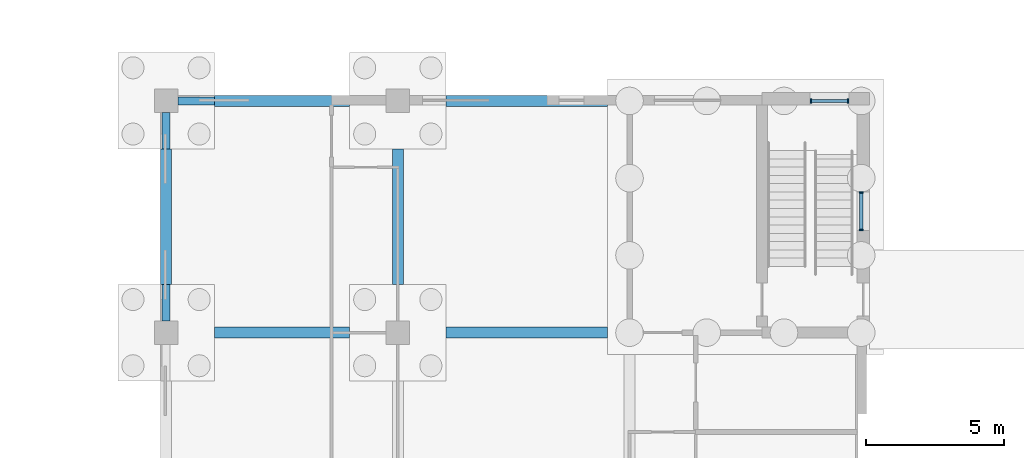
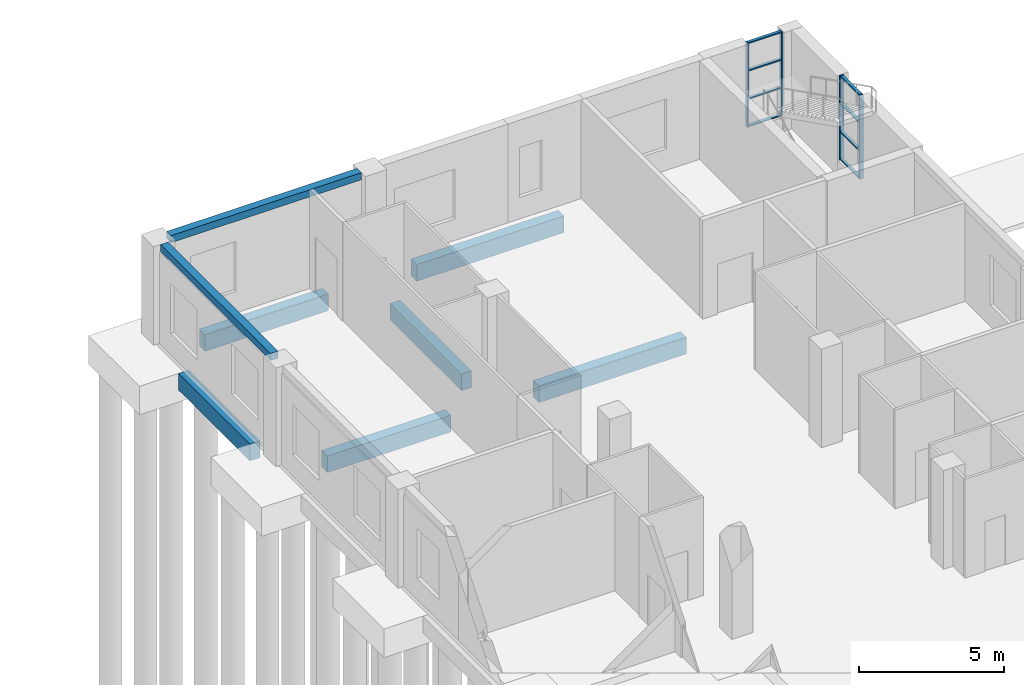
# One storey, part 75 of 138: 12 members, 8 beams, 2 elements without a shape of their own.
"""IFC4 building model written with IfcOpenShell, lengths in metres."""

from ifc_helpers import new_model, si_unit, direction, frame, origin, origin_2d, place, context, subcontext, project, spatial, rectangle, extrude, material, material_profile, profile_set, type_object, element, aggregate, save


model = new_model("IFC4")

# Units and contexts
model_context = context("Model", 3, precision=1e-05, world=origin(), true_north=direction((0.0, 1.0)))
body_context = subcontext(model_context, "Body", "Model", "MODEL_VIEW")
ifc_project = project(units=[si_unit("LENGTHUNIT", "METRE"), si_unit("AREAUNIT", "SQUARE_METRE"), si_unit("VOLUMEUNIT", "CUBIC_METRE"), si_unit("PLANEANGLEUNIT", "RADIAN"), si_unit("MASSUNIT", "GRAM", prefix="KILO")], contexts=[model_context])

# Site, building, storey
site_placement = place(None, origin())
site = spatial("IfcSite", under=ifc_project, at=site_placement, CompositionType="ELEMENT")
building_placement = place(site_placement, origin())
building = spatial("IfcBuilding", under=site, at=building_placement, Name="Yavir Park General Hospital", CompositionType="ELEMENT")
storey_placement = place(building_placement, origin())
storey = spatial("IfcBuildingStorey", under=building, at=storey_placement, Name="L00", CompositionType="ELEMENT", Elevation=0.0)

# Beams
ifc_material_1 = material(Name="Concrete C35/45", Category="concrete")
ifc_material_profile_1 = material_profile(ifc_material_1, rectangle(XDim=0.300048828125, YDim=0.300048828125, at=origin_2d()), Name="RC300x300")
ifc_profile_set_1 = profile_set([ifc_material_profile_1], Name="Concrete C35/45")
beam_type_1 = type_object("IfcBeamType", Name="RC BEAM 300x300 edge beam", PredefinedType="BEAM", material=ifc_profile_set_1)
beam_1_placement = place(storey_placement, frame((143.22509765625, 117.60009765625, 3.989990234375), z_axis=(1.0, 0.0, 0.0), x_axis=(0.0, 1.0, 0.0)))
element("IfcBeam", 1, at=beam_1_placement, inside=storey, type_object=beam_type_1, Name="B:EDGE:L00:025", PredefinedType="BEAM", context=body_context, shape_type="SweptSolid", body=[
    extrude(rectangle(XDim=0.300048828125, YDim=0.300048828125, at=origin_2d()), origin(), (0.0, 0.0, 1.0), 7.5498046875),
])
beam_2_placement = place(storey_placement, frame((142.800048828125, 109.625, 3.989990234375), z_axis=(0.0, 1.0, 0.0), x_axis=(-1.0, 0.0, 0.0)))
element("IfcBeam", 2, at=beam_2_placement, inside=storey, type_object=beam_type_1, Name="B:EDGE:L00:052", PredefinedType="BEAM", context=body_context, shape_type="SweptSolid", body=[
    extrude(rectangle(XDim=0.300048828125, YDim=0.300048828125, at=origin_2d()), origin(), (0.0, 0.0, 1.0), 7.550048828125),
])
ifc_material_2 = material(Name="Concrete C35/45", Category="concrete")
ifc_material_profile_2 = material_profile(ifc_material_2, rectangle(XDim=0.39990234375, YDim=0.699951171875, at=origin_2d()), Name="RC400x700")
ifc_profile_set_2 = profile_set([ifc_material_profile_2], Name="Concrete C35/45")
beam_type_2 = type_object("IfcBeamType", Name="RC BEAM 400x700 ground beam", PredefinedType="BEAM", material=ifc_profile_set_2)
for number, where, z_axis, x_axis, name in (
    (3, (144.550048828125, 109.199951171875, -0.800048828125), (1.0, 0.0, 0.0), (0.0, 1.0, 0.0), "B:GND:L00:18P:L00:19P"),
    (4, (144.550048828125, 117.60009765625, -0.800048828125), (1.0, 0.0, 0.0), (0.0, 1.0, 0.0), "B:GND:L00:18Q:L00:19Q"),
):
    element("IfcBeam", number, at=place(storey_placement, frame(where, z_axis=z_axis, x_axis=x_axis)), inside=storey, type_object=beam_type_2, Name=name, PredefinedType="BEAM", context=body_context, shape_type="SweptSolid", body=[
        extrude(rectangle(XDim=0.39990234375, YDim=0.699951171875, at=origin_2d()), origin(), (0.0, 0.0, 1.0), 4.89990234375),
    ])
for number, where, z_axis, x_axis, name in (
    (5, (152.949951171875, 109.199951171875, -0.800048828125), (1.0, 0.0, 0.0), (0.0, 1.0, 0.0), "B:GND:L00:19P:L00:ES3"),
    (6, (152.949951171875, 117.60009765625, -0.800048828125), (1.0, 0.0, 0.0), (0.0, 1.0, 0.0), "B:GND:L00:19Q:L00:ES3"),
):
    element("IfcBeam", number, at=place(storey_placement, frame(where, z_axis=z_axis, x_axis=x_axis)), inside=storey, type_object=beam_type_2, Name=name, PredefinedType="BEAM", context=body_context, shape_type="SweptSolid", body=[
        extrude(rectangle(XDim=0.39990234375, YDim=0.699951171875, at=origin_2d()), origin(), (0.0, 0.0, 1.0), 5.85009765625),
    ])
for number, where, z_axis, x_axis, name in (
    (7, (142.800048828125, 110.949951171875, -0.800048828125), (0.0, 1.0, 0.0), (-1.0, 0.0, 0.0), "B:GND:L00:18P:L00:18Q"),
    (8, (151.199951171875, 110.949951171875, -0.800048828125), (0.0, 1.0, 0.0), (-1.0, 0.0, 0.0), "B:GND:L00:19P:L00:19Q"),
):
    element("IfcBeam", number, at=place(storey_placement, frame(where, z_axis=z_axis, x_axis=x_axis)), inside=storey, type_object=beam_type_2, Name=name, PredefinedType="BEAM", context=body_context, shape_type="SweptSolid", body=[
        extrude(rectangle(XDim=0.39990234375, YDim=0.699951171875, at=origin_2d()), origin(), (0.0, 0.0, 1.0), 4.900146484375),
    ])

# Curtain wall, members
ifc_material_3 = material(Name="Aluminium curtain wall frame with insulated glazing", Category="aluminium")
curtain_wall_type = type_object("IfcCurtainWallType", Name="Stair light slot, ground floor, 3540 high, 1400 module", PredefinedType="NOTDEFINED", material=ifc_material_3)
curtain_wall_1_placement = place(storey_placement, origin())
curtain_wall_1 = element("IfcCurtainWall", 9, at=curtain_wall_1_placement, inside=storey, type_object=curtain_wall_type, Name="CW19 L00-037", PredefinedType="NOTDEFINED")
ifc_material_4 = material(Name="Aluminium", Category="aluminium")
ifc_material_profile_3 = material_profile(ifc_material_4, rectangle(XDim=0.159912109375, YDim=0.050048828125, at=origin_2d()), Name="AL 50x160")
ifc_profile_set_3 = profile_set([ifc_material_profile_3], Name="Aluminium")
member_type_1 = type_object("IfcMemberType", Name="Stair light slot, ground floor, 3540 high mullion 50 x 160", PredefinedType="MULLION", material=ifc_profile_set_3)
member_1_placement = place(storey_placement, frame((166.175048828125, 117.60009765625, 0.60009765625), z_axis=(0.0, 0.0, 1.0), x_axis=(0.0, 1.0, 0.0)))
member_1 = element("IfcMember", 10, at=member_1_placement, type_object=member_type_1, Name="CW19 mullion 1", PredefinedType="MULLION", context=body_context, shape_type="SweptSolid", body=[
    extrude(rectangle(XDim=0.159912109375, YDim=0.050048828125, at=origin_2d()), origin(), (0.0, 0.0, 1.0), 3.539794921875),
])
member_2_placement = place(storey_placement, frame((167.52490234375, 117.60009765625, 0.60009765625), z_axis=(0.0, 0.0, 1.0), x_axis=(0.0, 1.0, 0.0)))
member_2 = element("IfcMember", 11, at=member_2_placement, type_object=member_type_1, Name="CW19 mullion 2", PredefinedType="MULLION", context=body_context, shape_type="SweptSolid", body=[
    extrude(rectangle(XDim=0.159912109375, YDim=0.050048828125, at=origin_2d()), origin(), (0.0, 0.0, 1.0), 3.539794921875),
])

curtain_wall_2_placement = place(storey_placement, origin())
curtain_wall_2 = element("IfcCurtainWall", 12, at=curtain_wall_2_placement, inside=storey, type_object=curtain_wall_type, Name="CW19 L00-077", PredefinedType="NOTDEFINED")
member_3_placement = place(storey_placement, frame((168.0, 112.925048828125, 0.60009765625), z_axis=(0.0, 0.0, 1.0), x_axis=(-1.0, 0.0, 0.0)))
member_3 = element("IfcMember", 13, at=member_3_placement, type_object=member_type_1, Name="CW19 mullion 1", PredefinedType="MULLION", context=body_context, shape_type="SweptSolid", body=[
    extrude(rectangle(XDim=0.159912109375, YDim=0.050048828125, at=origin_2d()), origin(), (0.0, 0.0, 1.0), 3.539794921875),
])
member_4_placement = place(storey_placement, frame((168.0, 114.27490234375, 0.60009765625), z_axis=(0.0, 0.0, 1.0), x_axis=(-1.0, 0.0, 0.0)))
member_4 = element("IfcMember", 14, at=member_4_placement, type_object=member_type_1, Name="CW19 mullion 2", PredefinedType="MULLION", context=body_context, shape_type="SweptSolid", body=[
    extrude(rectangle(XDim=0.159912109375, YDim=0.050048828125, at=origin_2d()), origin(), (0.0, 0.0, 1.0), 3.539794921875),
])

# Member
ifc_material_5 = material(Name="Aluminium", Category="aluminium")
ifc_material_profile_4 = material_profile(ifc_material_5, rectangle(XDim=0.1201171875, YDim=0.050048828125, at=origin_2d()), Name="AL 120x50")
ifc_profile_set_4 = profile_set([ifc_material_profile_4], Name="Aluminium")
member_type_2 = type_object("IfcMemberType", Name="Stair light slot, ground floor, 3540 high transom 50 x 120", PredefinedType="MULLION", material=ifc_profile_set_4)
member_5_placement = place(storey_placement, frame((166.199951171875, 117.60009765625, 0.625), z_axis=(1.0, 0.0, 0.0), x_axis=(0.0, 1.0, 0.0)))
member_5 = element("IfcMember", 15, at=member_5_placement, type_object=member_type_2, Name="CW19 transom 1.1", PredefinedType="MULLION", context=body_context, shape_type="SweptSolid", body=[
    extrude(rectangle(XDim=0.1201171875, YDim=0.050048828125, at=origin_2d()), origin(), (0.0, 0.0, 1.0), 1.300048828125),
])

member_6_placement = place(storey_placement, frame((166.199951171875, 117.60009765625, 1.780029296875), z_axis=(1.0, 0.0, 0.0), x_axis=(0.0, 1.0, 0.0)))
member_6 = element("IfcMember", 16, at=member_6_placement, type_object=member_type_2, Name="CW19 transom 1.2", PredefinedType="MULLION", context=body_context, shape_type="SweptSolid", body=[
    extrude(rectangle(XDim=0.1201171875, YDim=0.050048828125, at=origin_2d()), origin(), (0.0, 0.0, 1.0), 1.300048828125),
])

member_7_placement = place(storey_placement, frame((166.199951171875, 117.60009765625, 2.9599609375), z_axis=(1.0, 0.0, 0.0), x_axis=(0.0, 1.0, 0.0)))
member_7 = element("IfcMember", 17, at=member_7_placement, type_object=member_type_2, Name="CW19 transom 1.3", PredefinedType="MULLION", context=body_context, shape_type="SweptSolid", body=[
    extrude(rectangle(XDim=0.1201171875, YDim=0.050048828125, at=origin_2d()), origin(), (0.0, 0.0, 1.0), 1.300048828125),
])

member_8_placement = place(storey_placement, frame((166.199951171875, 117.60009765625, 4.114990234375), z_axis=(1.0, 0.0, 0.0), x_axis=(0.0, 1.0, 0.0)))
member_8 = element("IfcMember", 18, at=member_8_placement, type_object=member_type_2, Name="CW19 transom 1.4", PredefinedType="MULLION", context=body_context, shape_type="SweptSolid", body=[
    extrude(rectangle(XDim=0.1201171875, YDim=0.050048828125, at=origin_2d()), origin(), (0.0, 0.0, 1.0), 1.300048828125),
])

aggregate(curtain_wall_1, [member_1, member_2, member_5, member_6, member_7, member_8])

member_9_placement = place(storey_placement, frame((168.0, 112.949951171875, 0.625), z_axis=(0.0, 1.0, 0.0), x_axis=(-1.0, 0.0, 0.0)))
member_9 = element("IfcMember", 19, at=member_9_placement, type_object=member_type_2, Name="CW19 transom 1.1", PredefinedType="MULLION", context=body_context, shape_type="SweptSolid", body=[
    extrude(rectangle(XDim=0.1201171875, YDim=0.050048828125, at=origin_2d()), origin(), (0.0, 0.0, 1.0), 1.300048828125),
])

member_10_placement = place(storey_placement, frame((168.0, 112.949951171875, 1.780029296875), z_axis=(0.0, 1.0, 0.0), x_axis=(-1.0, 0.0, 0.0)))
member_10 = element("IfcMember", 20, at=member_10_placement, type_object=member_type_2, Name="CW19 transom 1.2", PredefinedType="MULLION", context=body_context, shape_type="SweptSolid", body=[
    extrude(rectangle(XDim=0.1201171875, YDim=0.050048828125, at=origin_2d()), origin(), (0.0, 0.0, 1.0), 1.300048828125),
])

member_11_placement = place(storey_placement, frame((168.0, 112.949951171875, 2.9599609375), z_axis=(0.0, 1.0, 0.0), x_axis=(-1.0, 0.0, 0.0)))
member_11 = element("IfcMember", 21, at=member_11_placement, type_object=member_type_2, Name="CW19 transom 1.3", PredefinedType="MULLION", context=body_context, shape_type="SweptSolid", body=[
    extrude(rectangle(XDim=0.1201171875, YDim=0.050048828125, at=origin_2d()), origin(), (0.0, 0.0, 1.0), 1.300048828125),
])

member_12_placement = place(storey_placement, frame((168.0, 112.949951171875, 4.114990234375), z_axis=(0.0, 1.0, 0.0), x_axis=(-1.0, 0.0, 0.0)))
member_12 = element("IfcMember", 22, at=member_12_placement, type_object=member_type_2, Name="CW19 transom 1.4", PredefinedType="MULLION", context=body_context, shape_type="SweptSolid", body=[
    extrude(rectangle(XDim=0.1201171875, YDim=0.050048828125, at=origin_2d()), origin(), (0.0, 0.0, 1.0), 1.300048828125),
])

aggregate(curtain_wall_2, [member_3, member_4, member_9, member_10, member_11, member_12])

save(model, "model.ifc")
